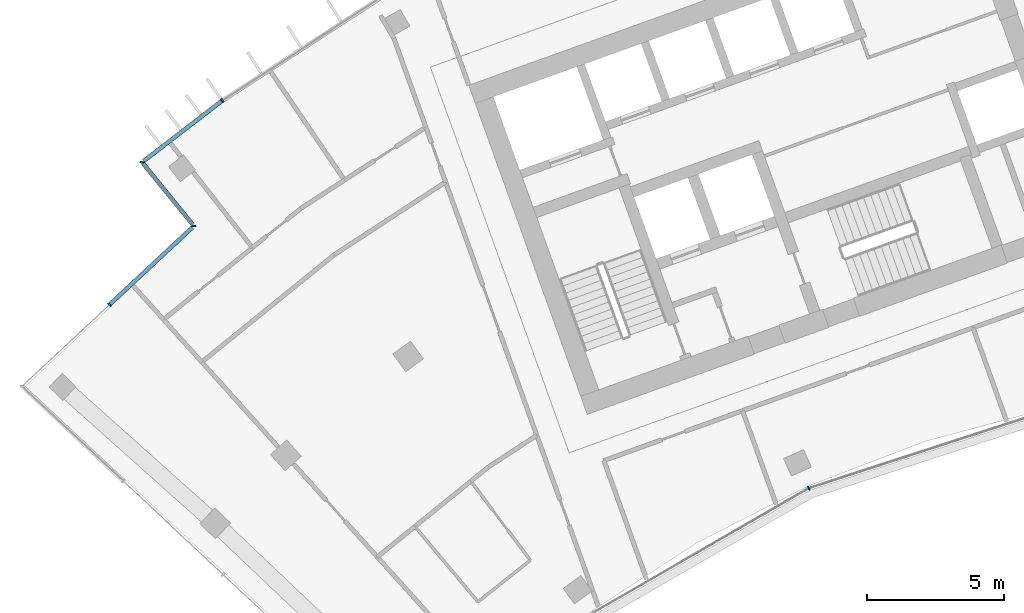
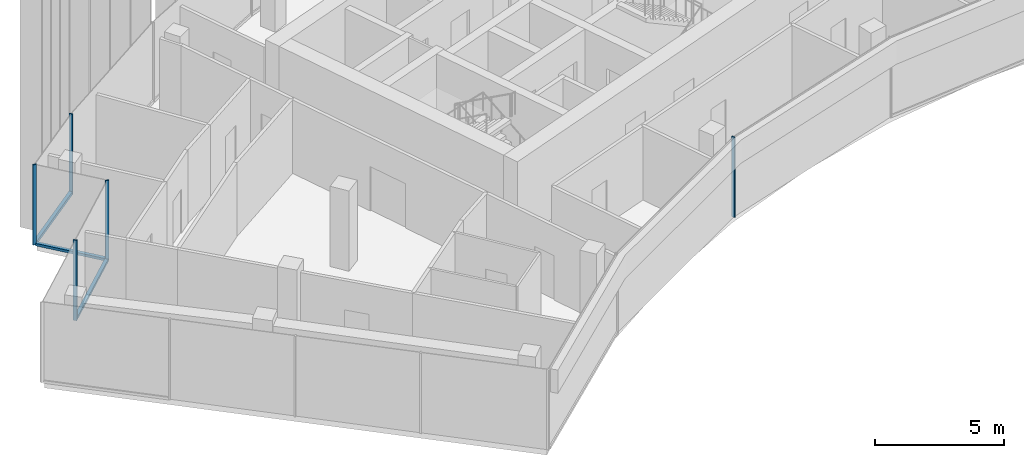
# One storey, part 3 of 18: 8 members, 4 elements without a shape of their own.
"""IFC4 building model written with IfcOpenShell, lengths in metres."""

from ifc_helpers import new_model, si_unit, direction, frame, origin, origin_2d, place, context, subcontext, project, spatial, rectangle, extrude, material, layer, layer_set, material_profile, profile_set, type_object, element, aggregate, save


model = new_model("IFC4")

# Units and contexts
model_context = context("Model", 3, precision=1e-05, world=origin(), true_north=direction((0.0, 1.0)))
body_context = subcontext(model_context, "Body", "Model", "MODEL_VIEW")
ifc_project = project(units=[si_unit("LENGTHUNIT", "METRE"), si_unit("AREAUNIT", "SQUARE_METRE"), si_unit("VOLUMEUNIT", "CUBIC_METRE"), si_unit("PLANEANGLEUNIT", "RADIAN"), si_unit("MASSUNIT", "GRAM", prefix="KILO")], contexts=[model_context])

# Site, building, storey
site_placement = place(None, origin())
site = spatial("IfcSite", under=ifc_project, at=site_placement, CompositionType="ELEMENT")
building_placement = place(site_placement, origin())
building = spatial("IfcBuilding", under=site, at=building_placement, Name="Stone Belt Terrace Tower", CompositionType="ELEMENT")
storey_placement = place(building_placement, frame((0.0, 0.0, 269.39990234375)))
storey = spatial("IfcBuildingStorey", under=building, at=storey_placement, Name="L65", CompositionType="ELEMENT", Elevation=269.39990234375)

# Curtain wall, members
ifc_material = material(Name="Aluminium 6063-T6 anodised frame", Category="aluminium")
ifc_layer_1 = layer(ifc_material, 0.14990234375)
ifc_layer_set_1 = layer_set([ifc_layer_1], Name="CW-A unitised convex-face curtain wall")
curtain_wall_type_1 = type_object("IfcCurtainWallType", Name="CW-A unitised convex-face curtain wall", PredefinedType="NOTDEFINED", material=ifc_layer_set_1)
curtain_wall_1_placement = place(storey_placement, origin())
curtain_wall_1 = element("IfcCurtainWall", 1, at=curtain_wall_1_placement, inside=storey, type_object=curtain_wall_type_1, Name="CW-A convex face L65", PredefinedType="NOTDEFINED")
ifc_material_profile_1 = material_profile(ifc_material, rectangle(XDim=0.14990234375, YDim=0.06005859375, at=origin_2d()), Name="Aluminium 6063-T6 60x150")
ifc_profile_set_1 = profile_set([ifc_material_profile_1], Name="Aluminium 6063-T6 anodised frame")
member_type_1 = type_object("IfcMemberType", Name="CW-A mullion 60 x 150", PredefinedType="MULLION", material=ifc_profile_set_1)
member_1_placement = place(storey_placement, frame((-39.131103515625, 53.86083984375, 0.0), z_axis=(0.0, 0.0, 1.0), x_axis=(0.577587125789, -0.816329046477, 0.0)))
member_1 = element("IfcMember", 2, at=member_1_placement, type_object=member_type_1, Name="CW-A mullion 14", PredefinedType="MULLION", context=body_context, shape_type="SweptSolid", body=[
    extrude(rectangle(XDim=0.14990234375, YDim=0.06005859375, at=origin_2d()), origin(), (0.0, 0.0, 1.0), 3.800048828125),
])
ifc_material_profile_2 = material_profile(ifc_material, rectangle(XDim=0.14990234375, YDim=0.139892578125, at=origin_2d()), Name="Aluminium 6063-T6 150x140")
ifc_profile_set_2 = profile_set([ifc_material_profile_2], Name="Aluminium 6063-T6 anodised frame")
member_type_2 = type_object("IfcMemberType", Name="CW-A transom 140 x 150", PredefinedType="USERDEFINED", material=ifc_profile_set_2)
member_2_placement = place(storey_placement, frame((-39.1572265625, 53.8408203125, 0.070068359375), z_axis=(-0.79269461464, -0.609618936648, 0.0), x_axis=(0.609618936648, -0.79269461464, 0.0)))
member_2 = element("IfcMember", 3, at=member_2_placement, type_object=member_type_2, Name="CW-A transom 14.1", ObjectType="TRANSOM", PredefinedType="USERDEFINED", context=body_context, shape_type="SweptSolid", body=[
    extrude(rectangle(XDim=0.14990234375, YDim=0.139892578125, at=origin_2d()), origin(), (0.0, 0.0, 1.0), 3.597900390625),
])
aggregate(curtain_wall_1, [member_1, member_2])

# Curtain wall, member
ifc_layer_2 = layer(ifc_material, 0.14990234375)
ifc_layer_set_2 = layer_set([ifc_layer_2], Name="CW-B unitised concave-face curtain wall")
curtain_wall_type_2 = type_object("IfcCurtainWallType", Name="CW-B unitised concave-face curtain wall", PredefinedType="NOTDEFINED", material=ifc_layer_set_2)
curtain_wall_2_placement = place(storey_placement, origin())
curtain_wall_2 = element("IfcCurtainWall", 4, at=curtain_wall_2_placement, inside=storey, type_object=curtain_wall_type_2, Name="CW-B concave face L65", PredefinedType="NOTDEFINED")
ifc_material_profile_3 = material_profile(ifc_material, rectangle(XDim=0.14990234375, YDim=0.050048828125, at=origin_2d()), Name="Aluminium 6063-T6 50x150")
ifc_profile_set_3 = profile_set([ifc_material_profile_3], Name="Aluminium 6063-T6 anodised frame")
member_type_3 = type_object("IfcMemberType", Name="CW-B mullion 50 x 150", PredefinedType="MULLION", material=ifc_profile_set_3)
member_3_placement = place(storey_placement, frame((-17.662353515625, 39.67041015625, 0.0), z_axis=(0.0, 0.0, 1.0), x_axis=(-0.406736643076, 0.913545457643, 0.0)))
member_3 = element("IfcMember", 5, at=member_3_placement, type_object=member_type_3, Name="CW-B mullion 3", PredefinedType="MULLION", context=body_context, shape_type="SweptSolid", body=[
    extrude(rectangle(XDim=0.14990234375, YDim=0.050048828125, at=origin_2d()), origin(), (0.0, 0.0, 1.0), 3.800048828125),
])
aggregate(curtain_wall_2, [member_3])

ifc_layer_3 = layer(ifc_material, 0.14990234375)
ifc_layer_set_3 = layer_set([ifc_layer_3], Name="CW-C stick curtain wall, horn ends and notches")
curtain_wall_type_3 = type_object("IfcCurtainWallType", Name="CW-C stick curtain wall, horn ends and notches", PredefinedType="NOTDEFINED", material=ifc_layer_set_3)
curtain_wall_3_placement = place(storey_placement, origin())
curtain_wall_3 = element("IfcCurtainWall", 6, at=curtain_wall_3_placement, inside=storey, type_object=curtain_wall_type_3, Name="CW-C notch face L65", PredefinedType="NOTDEFINED")
ifc_material_profile_4 = material_profile(ifc_material, rectangle(XDim=0.14990234375, YDim=0.06005859375, at=origin_2d()), Name="Aluminium 6063-T6 60x150")
ifc_profile_set_4 = profile_set([ifc_material_profile_4], Name="Aluminium 6063-T6 anodised frame")
member_type_4 = type_object("IfcMemberType", Name="CW-C mullion 60 x 150", PredefinedType="MULLION", material=ifc_profile_set_4)
member_4_placement = place(storey_placement, frame((-42.068359375, 51.60205078125, 0.0), z_axis=(0.0, 0.0, 1.0), x_axis=(0.993258004644, -0.115924700604, 0.0)))
member_4 = element("IfcMember", 7, at=member_4_placement, type_object=member_type_4, Name="CW-C mullion 1", PredefinedType="MULLION", context=body_context, shape_type="SweptSolid", body=[
    extrude(rectangle(XDim=0.14990234375, YDim=0.06005859375, at=origin_2d()), origin(), (0.0, 0.0, 1.0), 3.800048828125),
])

# Curtain wall, members
curtain_wall_4_placement = place(storey_placement, origin())
curtain_wall_4 = element("IfcCurtainWall", 8, at=curtain_wall_4_placement, inside=storey, type_object=curtain_wall_type_3, Name="CW-C notch face L65", PredefinedType="NOTDEFINED")
member_5_placement = place(storey_placement, frame((-40.1708984375, 49.269287109375, 0.0), z_axis=(0.0, 0.0, 1.0), x_axis=(0.997639702696, -0.068666029474, 0.0)))
member_5 = element("IfcMember", 9, at=member_5_placement, type_object=member_type_4, Name="CW-C mullion 1", PredefinedType="MULLION", context=body_context, shape_type="SweptSolid", body=[
    extrude(rectangle(XDim=0.14990234375, YDim=0.06005859375, at=origin_2d()), origin(), (0.0, 0.0, 1.0), 3.800048828125),
])
member_6_placement = place(storey_placement, frame((-43.260009765625, 46.388671875, 0.0), z_axis=(0.0, 0.0, 1.0), x_axis=(0.682013767261, -0.731339333871, 0.0)))
member_6 = element("IfcMember", 10, at=member_6_placement, type_object=member_type_4, Name="CW-C mullion 2", PredefinedType="MULLION", context=body_context, shape_type="SweptSolid", body=[
    extrude(rectangle(XDim=0.14990234375, YDim=0.06005859375, at=origin_2d()), origin(), (0.0, 0.0, 1.0), 3.800048828125),
])

# Member
ifc_material_profile_5 = material_profile(ifc_material, rectangle(XDim=0.14990234375, YDim=0.1201171875, at=origin_2d()), Name="Aluminium 6063-T6 150x120")
ifc_profile_set_5 = profile_set([ifc_material_profile_5], Name="Aluminium 6063-T6 anodised frame")
member_type_5 = type_object("IfcMemberType", Name="CW-C transom 120 x 150", PredefinedType="USERDEFINED", material=ifc_profile_set_5)
member_7_placement = place(storey_placement, frame((-42.021240234375, 51.5439453125, 0.06005859375), z_axis=(0.631026504781, -0.775761271439, 0.0), x_axis=(0.775761271439, 0.631026504781, 0.0)))
member_7 = element("IfcMember", 11, at=member_7_placement, type_object=member_type_5, Name="CW-C transom 1.1", ObjectType="TRANSOM", PredefinedType="USERDEFINED", context=body_context, shape_type="SweptSolid", body=[
    extrude(rectangle(XDim=0.14990234375, YDim=0.1201171875, at=origin_2d()), origin(), (0.0, 0.0, 1.0), 2.859130859375),
])

aggregate(curtain_wall_3, [member_4, member_7])

member_8_placement = place(storey_placement, frame((-40.224365234375, 49.21923828125, 0.06005859375), z_axis=(-0.731382255625, -0.681967738355, 0.0), x_axis=(0.681967738355, -0.731382255625, 0.0)))
member_8 = element("IfcMember", 12, at=member_8_placement, type_object=member_type_5, Name="CW-C transom 1.1", ObjectType="TRANSOM", PredefinedType="USERDEFINED", context=body_context, shape_type="SweptSolid", body=[
    extrude(rectangle(XDim=0.14990234375, YDim=0.1201171875, at=origin_2d()), origin(), (0.0, 0.0, 1.0), 4.12060546875),
])

aggregate(curtain_wall_4, [member_5, member_6, member_8])

save(model, "model.ifc")
